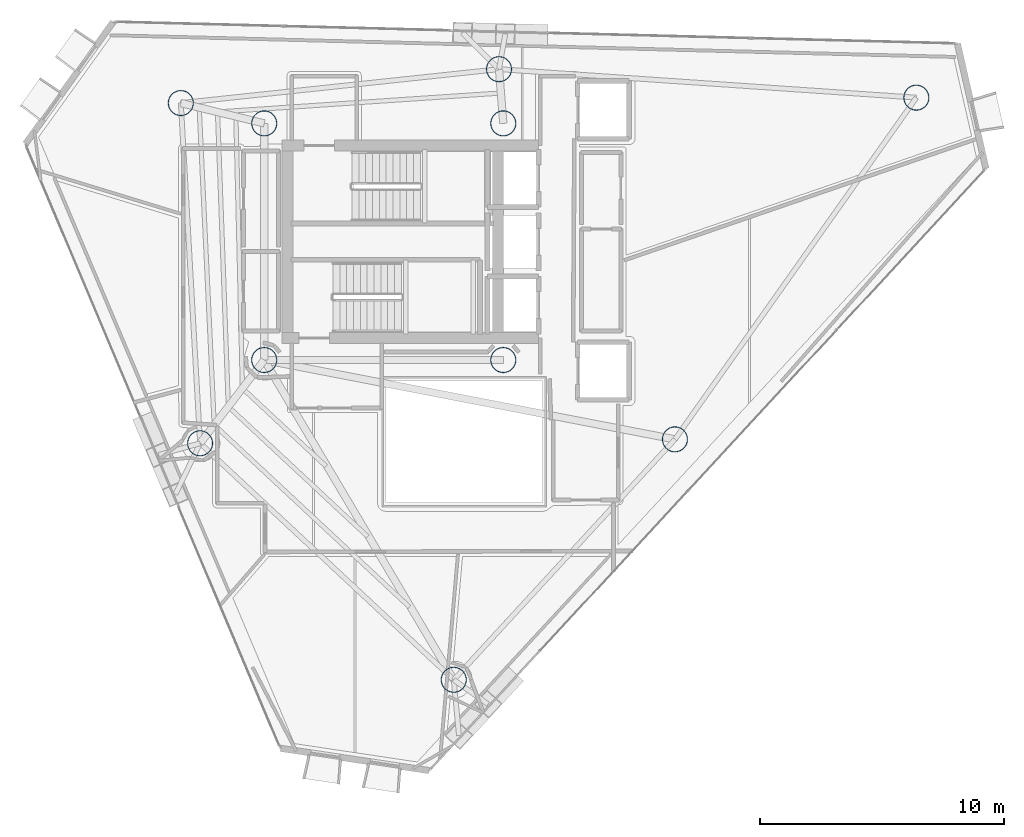
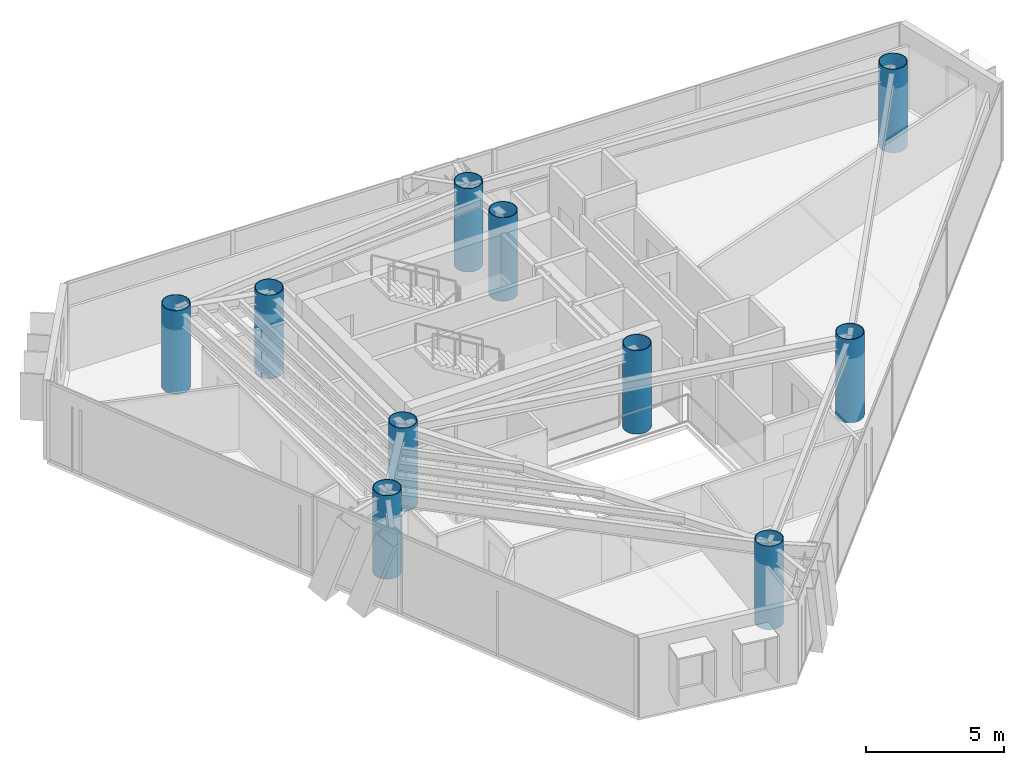
# One storey, part 1 of 21: 10 columns.
"""IFC4 building model written with IfcOpenShell, lengths in metres."""

from ifc_helpers import new_model, si_unit, direction, frame, origin, origin_2d, place, context, subcontext, project, spatial, hollow_circle, extrude, material, material_profile, profile_set, type_object, element, save


model = new_model("IFC4")

# Units and contexts
model_context = context("Model", 3, precision=1e-05, world=origin(), true_north=direction((0.0, 1.0)))
body_context = subcontext(model_context, "Body", "Model", "MODEL_VIEW")
ifc_project = project(units=[si_unit("LENGTHUNIT", "METRE"), si_unit("AREAUNIT", "SQUARE_METRE"), si_unit("VOLUMEUNIT", "CUBIC_METRE"), si_unit("PLANEANGLEUNIT", "RADIAN"), si_unit("MASSUNIT", "GRAM", prefix="KILO")], contexts=[model_context])

# Site, building, storey
site_placement = place(None, origin())
site = spatial("IfcSite", under=ifc_project, at=site_placement, CompositionType="ELEMENT")
building_placement = place(site_placement, origin())
building = spatial("IfcBuilding", under=site, at=building_placement, Name="Qianvela Tower", CompositionType="ELEMENT")
storey_placement = place(building_placement, frame((0.0, 0.0, 246.39990234375)))
storey = spatial("IfcBuildingStorey", under=building, at=storey_placement, Name="L63", CompositionType="ELEMENT", Elevation=246.39990234375)

# Columns
ifc_material = material(Name="Steel Q420GJC", Category="steel")
ifc_material_profile = material_profile(ifc_material, hollow_circle(Radius=0.52490234375, WallThickness=0.028076171875, at=origin_2d()), Name="CFT-1050x28")
ifc_profile_set = profile_set([ifc_material_profile], Name="Steel Q420GJC")
column_type = type_object("IfcColumnType", Name="COL-CFT-1050x28", PredefinedType="COLUMN", material=ifc_profile_set)
for number, where, z_axis, x_axis, name in (
    (1, (28.60009765625, 33.550048828125, 0.0), (0.0, 0.0, 1.0), (1.0, 0.0, 0.0), "L63 Core Corner Mega-Column CC-NW"),
    (2, (28.60009765625, 23.85009765625, 0.0), (0.0, 0.0, 1.0), (1.0, 0.0, 0.0), "L63 Core Corner Mega-Column CC-SW"),
    (3, (38.39990234375, 33.550048828125, 0.0), (0.0, 0.0, 1.0), (1.0, 0.0, 0.0), "L63 Core Corner Mega-Column CC-NE"),
    (4, (38.39990234375, 23.85009765625, 0.0), (0.0, 0.0, 1.0), (1.0, 0.0, 0.0), "L63 Core Corner Mega-Column CC-SE"),
    (5, (55.33203125, 34.60498046875, 0.0), (0.0, 0.0, 1.0), (1.0, 0.0, 0.0), "L63 Zone Z6 CFT Mega-Column C1"),
    (6, (38.22509765625, 35.77294921875, 0.0), (0.0, 0.0, 1.0), (1.0, 0.0, 0.0), "L63 Zone Z6 CFT Mega-Column C2"),
    (7, (25.181884765625, 34.384033203125, 0.0), (0.0, 0.0, 1.0), (1.0, 0.0, 0.0), "L63 Zone Z6 CFT Mega-Column C3"),
    (8, (25.971923828125, 20.43701171875, 0.0), (0.0, 0.0, 1.0), (1.0, 0.0, 0.0), "L63 Zone Z6 CFT Mega-Column C4"),
    (9, (36.368896484375, 10.741943359375, 0.0), (0.0, 0.0, 1.0), (1.0, 0.0, 0.0), "L63 Zone Z6 CFT Mega-Column C5"),
    (10, (45.43603515625, 20.597900390625, 0.0), (0.0, 0.0, 1.0), (1.0, 0.0, 0.0), "L63 Zone Z6 CFT Mega-Column C6"),
):
    element("IfcColumn", number, at=place(storey_placement, frame(where, z_axis=z_axis, x_axis=x_axis)), inside=storey, type_object=column_type, Name=name, PredefinedType="COLUMN", context=body_context, shape_type="SweptSolid", body=[
        extrude(hollow_circle(Radius=0.52490234375, WallThickness=0.028076171875, at=origin_2d()), origin(), (0.0, 0.0, 1.0), 3.7001953125),
    ])

save(model, "model.ifc")
